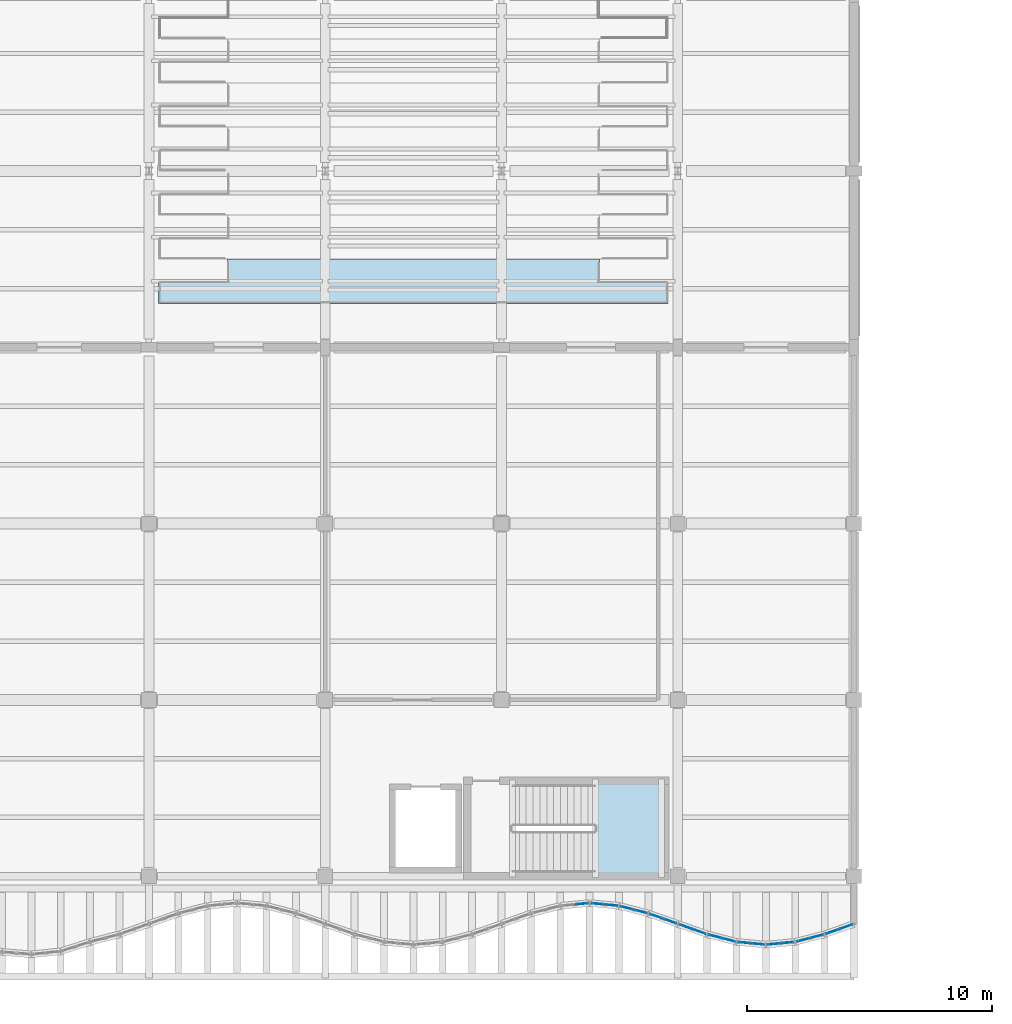
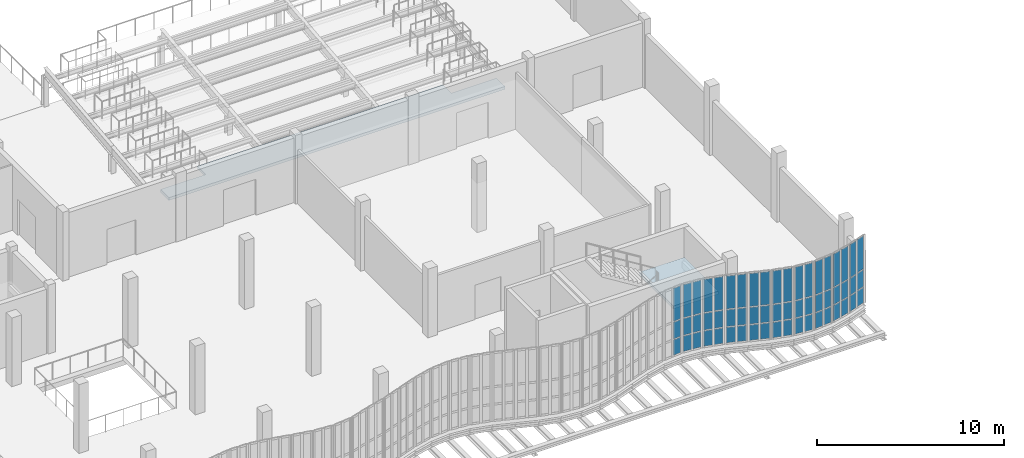
# One storey, part 80 of 105: 57 plates, 2 slabs, 11 elements without a shape of their own.
"""IFC4 building model written with IfcOpenShell, lengths in metres."""

from ifc_helpers import new_model, si_unit, direction, frame, origin, origin_2d, place, context, subcontext, project, spatial, polyline, rectangle, outline, extrude, material, layer, layer_set, type_object, element, aggregate, save


model = new_model("IFC4")

# Units and contexts
model_context = context("Model", 3, precision=1e-05, world=origin(), true_north=direction((0.0, 1.0)))
body_context = subcontext(model_context, "Body", "Model", "MODEL_VIEW")
ifc_project = project(units=[si_unit("LENGTHUNIT", "METRE"), si_unit("AREAUNIT", "SQUARE_METRE"), si_unit("VOLUMEUNIT", "CUBIC_METRE"), si_unit("PLANEANGLEUNIT", "RADIAN"), si_unit("MASSUNIT", "GRAM", prefix="KILO"), si_unit("THERMODYNAMICTEMPERATUREUNIT", "KELVIN"), si_unit("POWERUNIT", "WATT")], contexts=[model_context])

# Site, building, storey
site_placement = place(None, origin())
site = spatial("IfcSite", under=ifc_project, at=site_placement, CompositionType="ELEMENT")
building_placement = place(site_placement, origin())
building = spatial("IfcBuilding", under=site, at=building_placement, Name="Kaldorven Railside Theatre", CompositionType="ELEMENT")
storey_placement = place(building_placement, frame((0.0, 0.0, 9.89990234375)))
storey = spatial("IfcBuildingStorey", under=building, at=storey_placement, Name="L02", CompositionType="ELEMENT", Elevation=9.89990234375)

# Curtain wall, plates
ifc_material_1 = material(Name="Low-E laminated solar-control glass", Category="glass")
ifc_layer_1 = layer(ifc_material_1, 0.159912109375, Name="Low-E laminated solar-control glass")
ifc_layer_set_1 = layer_set([ifc_layer_1], Name="Low-E laminated solar-control glass")
curtain_wall_type_1 = type_object("IfcCurtainWallType", Name="CWT-03", PredefinedType="USERDEFINED", material=ifc_layer_set_1)
curtain_wall_1_placement = place(storey_placement, origin())
curtain_wall_1 = element("IfcCurtainWall", 1, at=curtain_wall_1_placement, inside=storey, type_object=curtain_wall_type_1, Name="Sinusoidal Fluted Curtain Wall CW-L02-S63", ObjectType="FLUTED GLAZING", PredefinedType="USERDEFINED")
ifc_layer_2 = layer(ifc_material_1, 0.028076171875, Name="Low-E laminated solar-control glass")
ifc_layer_set_2 = layer_set([ifc_layer_2], Name="Low-E laminated solar-control glass")
plate_type = type_object("IfcPlateType", Name="CWP-GLZ28", PredefinedType="CURTAIN_PANEL", material=ifc_layer_set_2)
plate_1_placement = place(storey_placement, frame((112.080078125, 18.069580078125, 0.06005859375), z_axis=(0.0, 0.0, 1.0), x_axis=(0.995525623425, 0.094491973758, 0.0)))
plate_1 = element("IfcPlate", 2, at=plate_1_placement, type_object=plate_type, Name="CW-L02-S63 panel 2.1", PredefinedType="CURTAIN_PANEL", context=body_context, shape_type="SweptSolid", body=[
    extrude(rectangle(XDim=0.482666015625, YDim=0.028076171875, at=origin_2d()), origin(), (0.0, 0.0, 1.0), 1.010009765625),
])
plate_2_placement = place(storey_placement, frame((112.080078125, 18.069580078125, 1.1298828125), z_axis=(0.0, 0.0, 1.0), x_axis=(0.995525623425, 0.094491973758, 0.0)))
plate_2 = element("IfcPlate", 3, at=plate_2_placement, type_object=plate_type, Name="CW-L02-S63 panel 2.2", PredefinedType="CURTAIN_PANEL", context=body_context, shape_type="SweptSolid", body=[
    extrude(rectangle(XDim=0.482666015625, YDim=0.028076171875, at=origin_2d()), origin(), (0.0, 0.0, 1.0), 1.090087890625),
])
plate_3_placement = place(storey_placement, frame((112.080078125, 18.069580078125, 2.2802734375), z_axis=(0.0, 0.0, 1.0), x_axis=(0.995525623425, 0.094491973758, 0.0)))
plate_3 = element("IfcPlate", 4, at=plate_3_placement, type_object=plate_type, Name="CW-L02-S63 panel 2.3", PredefinedType="CURTAIN_PANEL", context=body_context, shape_type="SweptSolid", body=[
    extrude(rectangle(XDim=0.482666015625, YDim=0.028076171875, at=origin_2d()), origin(), (0.0, 0.0, 1.0), 2.159912109375),
])
aggregate(curtain_wall_1, [plate_1, plate_2, plate_3])

curtain_wall_2_placement = place(storey_placement, origin())
curtain_wall_2 = element("IfcCurtainWall", 5, at=curtain_wall_2_placement, inside=storey, type_object=curtain_wall_type_1, Name="Sinusoidal Fluted Curtain Wall CW-L02-S64", ObjectType="FLUTED GLAZING", PredefinedType="USERDEFINED")
plate_4_placement = place(storey_placement, frame((112.719970703125, 18.069580078125, 0.06005859375), z_axis=(0.0, 0.0, 1.0), x_axis=(0.995525623425, -0.094491973758, 0.0)))
plate_4 = element("IfcPlate", 6, at=plate_4_placement, type_object=plate_type, Name="CW-L02-S64 panel 1.1", PredefinedType="CURTAIN_PANEL", context=body_context, shape_type="SweptSolid", body=[
    extrude(rectangle(XDim=0.482666015625, YDim=0.028076171875, at=origin_2d()), origin(), (0.0, 0.0, 1.0), 1.010009765625),
])
plate_5_placement = place(storey_placement, frame((112.719970703125, 18.069580078125, 1.1298828125), z_axis=(0.0, 0.0, 1.0), x_axis=(0.995525623425, -0.094491973758, 0.0)))
plate_5 = element("IfcPlate", 7, at=plate_5_placement, type_object=plate_type, Name="CW-L02-S64 panel 1.2", PredefinedType="CURTAIN_PANEL", context=body_context, shape_type="SweptSolid", body=[
    extrude(rectangle(XDim=0.482666015625, YDim=0.028076171875, at=origin_2d()), origin(), (0.0, 0.0, 1.0), 1.090087890625),
])
plate_6_placement = place(storey_placement, frame((112.719970703125, 18.069580078125, 2.2802734375), z_axis=(0.0, 0.0, 1.0), x_axis=(0.995525623425, -0.094491973758, 0.0)))
plate_6 = element("IfcPlate", 8, at=plate_6_placement, type_object=plate_type, Name="CW-L02-S64 panel 1.3", PredefinedType="CURTAIN_PANEL", context=body_context, shape_type="SweptSolid", body=[
    extrude(rectangle(XDim=0.482666015625, YDim=0.028076171875, at=origin_2d()), origin(), (0.0, 0.0, 1.0), 2.159912109375),
])
plate_7_placement = place(storey_placement, frame((113.280029296875, 18.016357421875, 0.06005859375), z_axis=(0.0, 0.0, 1.0), x_axis=(0.995525623425, -0.094491973758, 0.0)))
plate_7 = element("IfcPlate", 9, at=plate_7_placement, type_object=plate_type, Name="CW-L02-S64 panel 2.1", PredefinedType="CURTAIN_PANEL", context=body_context, shape_type="SweptSolid", body=[
    extrude(rectangle(XDim=0.482666015625, YDim=0.028076171875, at=origin_2d()), origin(), (0.0, 0.0, 1.0), 1.010009765625),
])
plate_8_placement = place(storey_placement, frame((113.280029296875, 18.016357421875, 1.1298828125), z_axis=(0.0, 0.0, 1.0), x_axis=(0.995525623425, -0.094491973758, 0.0)))
plate_8 = element("IfcPlate", 10, at=plate_8_placement, type_object=plate_type, Name="CW-L02-S64 panel 2.2", PredefinedType="CURTAIN_PANEL", context=body_context, shape_type="SweptSolid", body=[
    extrude(rectangle(XDim=0.482666015625, YDim=0.028076171875, at=origin_2d()), origin(), (0.0, 0.0, 1.0), 1.090087890625),
])
plate_9_placement = place(storey_placement, frame((113.280029296875, 18.016357421875, 2.2802734375), z_axis=(0.0, 0.0, 1.0), x_axis=(0.995525623425, -0.094491973758, 0.0)))
plate_9 = element("IfcPlate", 11, at=plate_9_placement, type_object=plate_type, Name="CW-L02-S64 panel 2.3", PredefinedType="CURTAIN_PANEL", context=body_context, shape_type="SweptSolid", body=[
    extrude(rectangle(XDim=0.482666015625, YDim=0.028076171875, at=origin_2d()), origin(), (0.0, 0.0, 1.0), 2.159912109375),
])
aggregate(curtain_wall_2, [plate_4, plate_5, plate_6, plate_7, plate_8, plate_9])

ifc_layer_3 = layer(ifc_material_1, 0.159912109375, Name="Low-E laminated solar-control glass")
ifc_layer_set_3 = layer_set([ifc_layer_3], Name="Low-E laminated solar-control glass")
curtain_wall_type_2 = type_object("IfcCurtainWallType", Name="CWT-02", PredefinedType="USERDEFINED", material=ifc_layer_set_3)
curtain_wall_3_placement = place(storey_placement, origin())
curtain_wall_3 = element("IfcCurtainWall", 12, at=curtain_wall_3_placement, inside=storey, type_object=curtain_wall_type_2, Name="Sinusoidal Fluted Curtain Wall CW-L02-S65", ObjectType="FLUTED GLAZING", PredefinedType="USERDEFINED")
plate_10_placement = place(storey_placement, frame((113.91943359375, 17.9033203125, 0.06005859375), z_axis=(0.0, 0.0, 1.0), x_axis=(0.967999075505, -0.250953760326, 0.0)))
plate_10 = element("IfcPlate", 13, at=plate_10_placement, type_object=plate_type, Name="CW-L02-S65 panel 1.1", PredefinedType="CURTAIN_PANEL", context=body_context, shape_type="SweptSolid", body=[
    extrude(rectangle(XDim=0.499755859375, YDim=0.028076171875, at=origin_2d()), origin(), (0.0, 0.0, 1.0), 1.010009765625),
])
plate_11_placement = place(storey_placement, frame((113.91943359375, 17.9033203125, 1.1298828125), z_axis=(0.0, 0.0, 1.0), x_axis=(0.967999075505, -0.250953760326, 0.0)))
plate_11 = element("IfcPlate", 14, at=plate_11_placement, type_object=plate_type, Name="CW-L02-S65 panel 1.2", PredefinedType="CURTAIN_PANEL", context=body_context, shape_type="SweptSolid", body=[
    extrude(rectangle(XDim=0.499755859375, YDim=0.028076171875, at=origin_2d()), origin(), (0.0, 0.0, 1.0), 1.090087890625),
])
plate_12_placement = place(storey_placement, frame((113.91943359375, 17.9033203125, 2.2802734375), z_axis=(0.0, 0.0, 1.0), x_axis=(0.967999075505, -0.250953760326, 0.0)))
plate_12 = element("IfcPlate", 15, at=plate_12_placement, type_object=plate_type, Name="CW-L02-S65 panel 1.3", PredefinedType="CURTAIN_PANEL", context=body_context, shape_type="SweptSolid", body=[
    extrude(rectangle(XDim=0.499755859375, YDim=0.028076171875, at=origin_2d()), origin(), (0.0, 0.0, 1.0), 2.159912109375),
])
plate_13_placement = place(storey_placement, frame((114.480712890625, 17.7578125, 0.06005859375), z_axis=(0.0, 0.0, 1.0), x_axis=(0.967999075505, -0.250953760326, 0.0)))
plate_13 = element("IfcPlate", 16, at=plate_13_placement, type_object=plate_type, Name="CW-L02-S65 panel 2.1", PredefinedType="CURTAIN_PANEL", context=body_context, shape_type="SweptSolid", body=[
    extrude(rectangle(XDim=0.499755859375, YDim=0.028076171875, at=origin_2d()), origin(), (0.0, 0.0, 1.0), 1.010009765625),
])
plate_14_placement = place(storey_placement, frame((114.480712890625, 17.7578125, 1.1298828125), z_axis=(0.0, 0.0, 1.0), x_axis=(0.967999075505, -0.250953760326, 0.0)))
plate_14 = element("IfcPlate", 17, at=plate_14_placement, type_object=plate_type, Name="CW-L02-S65 panel 2.2", PredefinedType="CURTAIN_PANEL", context=body_context, shape_type="SweptSolid", body=[
    extrude(rectangle(XDim=0.499755859375, YDim=0.028076171875, at=origin_2d()), origin(), (0.0, 0.0, 1.0), 1.090087890625),
])
plate_15_placement = place(storey_placement, frame((114.480712890625, 17.7578125, 2.2802734375), z_axis=(0.0, 0.0, 1.0), x_axis=(0.967999075505, -0.250953760326, 0.0)))
plate_15 = element("IfcPlate", 18, at=plate_15_placement, type_object=plate_type, Name="CW-L02-S65 panel 2.3", PredefinedType="CURTAIN_PANEL", context=body_context, shape_type="SweptSolid", body=[
    extrude(rectangle(XDim=0.499755859375, YDim=0.028076171875, at=origin_2d()), origin(), (0.0, 0.0, 1.0), 2.159912109375),
])
aggregate(curtain_wall_3, [plate_10, plate_11, plate_12, plate_13, plate_14, plate_15])

ifc_layer_4 = layer(ifc_material_1, 0.159912109375, Name="Low-E laminated solar-control glass")
ifc_layer_set_4 = layer_set([ifc_layer_4], Name="Low-E laminated solar-control glass")
curtain_wall_type_3 = type_object("IfcCurtainWallType", Name="CWT-01", PredefinedType="USERDEFINED", material=ifc_layer_set_4)
curtain_wall_4_placement = place(storey_placement, origin())
curtain_wall_4 = element("IfcCurtainWall", 19, at=curtain_wall_4_placement, inside=storey, type_object=curtain_wall_type_3, Name="Sinusoidal Fluted Curtain Wall CW-L02-S66", ObjectType="FLUTED GLAZING", PredefinedType="USERDEFINED")
plate_16_placement = place(storey_placement, frame((115.118896484375, 17.56201171875, 0.06005859375), z_axis=(0.0, 0.0, 1.0), x_axis=(0.942627225159, -0.33384714225, 0.0)))
plate_16 = element("IfcPlate", 20, at=plate_16_placement, type_object=plate_type, Name="CW-L02-S66 panel 1.1", PredefinedType="CURTAIN_PANEL", context=body_context, shape_type="SweptSolid", body=[
    extrude(rectangle(XDim=0.5166015625, YDim=0.028076171875, at=origin_2d()), origin(), (0.0, 0.0, 1.0), 1.010009765625),
])
plate_17_placement = place(storey_placement, frame((115.118896484375, 17.56201171875, 1.1298828125), z_axis=(0.0, 0.0, 1.0), x_axis=(0.942627225159, -0.33384714225, 0.0)))
plate_17 = element("IfcPlate", 21, at=plate_17_placement, type_object=plate_type, Name="CW-L02-S66 panel 1.2", PredefinedType="CURTAIN_PANEL", context=body_context, shape_type="SweptSolid", body=[
    extrude(rectangle(XDim=0.5166015625, YDim=0.028076171875, at=origin_2d()), origin(), (0.0, 0.0, 1.0), 1.090087890625),
])
plate_18_placement = place(storey_placement, frame((115.118896484375, 17.56201171875, 2.2802734375), z_axis=(0.0, 0.0, 1.0), x_axis=(0.942627225159, -0.33384714225, 0.0)))
plate_18 = element("IfcPlate", 22, at=plate_18_placement, type_object=plate_type, Name="CW-L02-S66 panel 1.3", PredefinedType="CURTAIN_PANEL", context=body_context, shape_type="SweptSolid", body=[
    extrude(rectangle(XDim=0.5166015625, YDim=0.028076171875, at=origin_2d()), origin(), (0.0, 0.0, 1.0), 2.159912109375),
])
plate_19_placement = place(storey_placement, frame((115.68115234375, 17.363037109375, 0.06005859375), z_axis=(0.0, 0.0, 1.0), x_axis=(0.942627225159, -0.33384714225, 0.0)))
plate_19 = element("IfcPlate", 23, at=plate_19_placement, type_object=plate_type, Name="CW-L02-S66 panel 2.1", PredefinedType="CURTAIN_PANEL", context=body_context, shape_type="SweptSolid", body=[
    extrude(rectangle(XDim=0.5166015625, YDim=0.028076171875, at=origin_2d()), origin(), (0.0, 0.0, 1.0), 1.010009765625),
])
plate_20_placement = place(storey_placement, frame((115.68115234375, 17.363037109375, 1.1298828125), z_axis=(0.0, 0.0, 1.0), x_axis=(0.942627225159, -0.33384714225, 0.0)))
plate_20 = element("IfcPlate", 24, at=plate_20_placement, type_object=plate_type, Name="CW-L02-S66 panel 2.2", PredefinedType="CURTAIN_PANEL", context=body_context, shape_type="SweptSolid", body=[
    extrude(rectangle(XDim=0.5166015625, YDim=0.028076171875, at=origin_2d()), origin(), (0.0, 0.0, 1.0), 1.090087890625),
])
plate_21_placement = place(storey_placement, frame((115.68115234375, 17.363037109375, 2.2802734375), z_axis=(0.0, 0.0, 1.0), x_axis=(0.942627225159, -0.33384714225, 0.0)))
plate_21 = element("IfcPlate", 25, at=plate_21_placement, type_object=plate_type, Name="CW-L02-S66 panel 2.3", PredefinedType="CURTAIN_PANEL", context=body_context, shape_type="SweptSolid", body=[
    extrude(rectangle(XDim=0.5166015625, YDim=0.028076171875, at=origin_2d()), origin(), (0.0, 0.0, 1.0), 2.159912109375),
])
aggregate(curtain_wall_4, [plate_16, plate_17, plate_18, plate_19, plate_20, plate_21])

curtain_wall_5_placement = place(storey_placement, origin())
curtain_wall_5 = element("IfcCurtainWall", 26, at=curtain_wall_5_placement, inside=storey, type_object=curtain_wall_type_3, Name="Sinusoidal Fluted Curtain Wall CW-L02-S67", ObjectType="FLUTED GLAZING", PredefinedType="USERDEFINED")
plate_22_placement = place(storey_placement, frame((116.31884765625, 17.136962890625, 0.06005859375), z_axis=(0.0, 0.0, 1.0), x_axis=(0.942627225159, -0.33384714225, 0.0)))
plate_22 = element("IfcPlate", 27, at=plate_22_placement, type_object=plate_type, Name="CW-L02-S67 panel 1.1", PredefinedType="CURTAIN_PANEL", context=body_context, shape_type="SweptSolid", body=[
    extrude(rectangle(XDim=0.5166015625, YDim=0.028076171875, at=origin_2d()), origin(), (0.0, 0.0, 1.0), 1.010009765625),
])
plate_23_placement = place(storey_placement, frame((116.31884765625, 17.136962890625, 1.1298828125), z_axis=(0.0, 0.0, 1.0), x_axis=(0.942627225159, -0.33384714225, 0.0)))
plate_23 = element("IfcPlate", 28, at=plate_23_placement, type_object=plate_type, Name="CW-L02-S67 panel 1.2", PredefinedType="CURTAIN_PANEL", context=body_context, shape_type="SweptSolid", body=[
    extrude(rectangle(XDim=0.5166015625, YDim=0.028076171875, at=origin_2d()), origin(), (0.0, 0.0, 1.0), 1.090087890625),
])
plate_24_placement = place(storey_placement, frame((116.31884765625, 17.136962890625, 2.2802734375), z_axis=(0.0, 0.0, 1.0), x_axis=(0.942627225159, -0.33384714225, 0.0)))
plate_24 = element("IfcPlate", 29, at=plate_24_placement, type_object=plate_type, Name="CW-L02-S67 panel 1.3", PredefinedType="CURTAIN_PANEL", context=body_context, shape_type="SweptSolid", body=[
    extrude(rectangle(XDim=0.5166015625, YDim=0.028076171875, at=origin_2d()), origin(), (0.0, 0.0, 1.0), 2.159912109375),
])
plate_25_placement = place(storey_placement, frame((116.881103515625, 16.93798828125, 0.06005859375), z_axis=(0.0, 0.0, 1.0), x_axis=(0.942627225159, -0.33384714225, 0.0)))
plate_25 = element("IfcPlate", 30, at=plate_25_placement, type_object=plate_type, Name="CW-L02-S67 panel 2.1", PredefinedType="CURTAIN_PANEL", context=body_context, shape_type="SweptSolid", body=[
    extrude(rectangle(XDim=0.5166015625, YDim=0.028076171875, at=origin_2d()), origin(), (0.0, 0.0, 1.0), 1.010009765625),
])
plate_26_placement = place(storey_placement, frame((116.881103515625, 16.93798828125, 1.1298828125), z_axis=(0.0, 0.0, 1.0), x_axis=(0.942627225159, -0.33384714225, 0.0)))
plate_26 = element("IfcPlate", 31, at=plate_26_placement, type_object=plate_type, Name="CW-L02-S67 panel 2.2", PredefinedType="CURTAIN_PANEL", context=body_context, shape_type="SweptSolid", body=[
    extrude(rectangle(XDim=0.5166015625, YDim=0.028076171875, at=origin_2d()), origin(), (0.0, 0.0, 1.0), 1.090087890625),
])
plate_27_placement = place(storey_placement, frame((116.881103515625, 16.93798828125, 2.2802734375), z_axis=(0.0, 0.0, 1.0), x_axis=(0.942627225159, -0.33384714225, 0.0)))
plate_27 = element("IfcPlate", 32, at=plate_27_placement, type_object=plate_type, Name="CW-L02-S67 panel 2.3", PredefinedType="CURTAIN_PANEL", context=body_context, shape_type="SweptSolid", body=[
    extrude(rectangle(XDim=0.5166015625, YDim=0.028076171875, at=origin_2d()), origin(), (0.0, 0.0, 1.0), 2.159912109375),
])
aggregate(curtain_wall_5, [plate_22, plate_23, plate_24, plate_25, plate_26, plate_27])

curtain_wall_6_placement = place(storey_placement, origin())
curtain_wall_6 = element("IfcCurtainWall", 33, at=curtain_wall_6_placement, inside=storey, type_object=curtain_wall_type_2, Name="Sinusoidal Fluted Curtain Wall CW-L02-S68", ObjectType="FLUTED GLAZING", PredefinedType="USERDEFINED")
plate_28_placement = place(storey_placement, frame((117.519287109375, 16.7421875, 0.06005859375), z_axis=(0.0, 0.0, 1.0), x_axis=(0.967999075505, -0.250953760326, 0.0)))
plate_28 = element("IfcPlate", 34, at=plate_28_placement, type_object=plate_type, Name="CW-L02-S68 panel 1.1", PredefinedType="CURTAIN_PANEL", context=body_context, shape_type="SweptSolid", body=[
    extrude(rectangle(XDim=0.499755859375, YDim=0.028076171875, at=origin_2d()), origin(), (0.0, 0.0, 1.0), 1.010009765625),
])
plate_29_placement = place(storey_placement, frame((117.519287109375, 16.7421875, 1.1298828125), z_axis=(0.0, 0.0, 1.0), x_axis=(0.967999075505, -0.250953760326, 0.0)))
plate_29 = element("IfcPlate", 35, at=plate_29_placement, type_object=plate_type, Name="CW-L02-S68 panel 1.2", PredefinedType="CURTAIN_PANEL", context=body_context, shape_type="SweptSolid", body=[
    extrude(rectangle(XDim=0.499755859375, YDim=0.028076171875, at=origin_2d()), origin(), (0.0, 0.0, 1.0), 1.090087890625),
])
plate_30_placement = place(storey_placement, frame((117.519287109375, 16.7421875, 2.2802734375), z_axis=(0.0, 0.0, 1.0), x_axis=(0.967999075505, -0.250953760326, 0.0)))
plate_30 = element("IfcPlate", 36, at=plate_30_placement, type_object=plate_type, Name="CW-L02-S68 panel 1.3", PredefinedType="CURTAIN_PANEL", context=body_context, shape_type="SweptSolid", body=[
    extrude(rectangle(XDim=0.499755859375, YDim=0.028076171875, at=origin_2d()), origin(), (0.0, 0.0, 1.0), 2.159912109375),
])
plate_31_placement = place(storey_placement, frame((118.08056640625, 16.5966796875, 0.06005859375), z_axis=(0.0, 0.0, 1.0), x_axis=(0.967999075505, -0.250953760326, 0.0)))
plate_31 = element("IfcPlate", 37, at=plate_31_placement, type_object=plate_type, Name="CW-L02-S68 panel 2.1", PredefinedType="CURTAIN_PANEL", context=body_context, shape_type="SweptSolid", body=[
    extrude(rectangle(XDim=0.499755859375, YDim=0.028076171875, at=origin_2d()), origin(), (0.0, 0.0, 1.0), 1.010009765625),
])
plate_32_placement = place(storey_placement, frame((118.08056640625, 16.5966796875, 1.1298828125), z_axis=(0.0, 0.0, 1.0), x_axis=(0.967999075505, -0.250953760326, 0.0)))
plate_32 = element("IfcPlate", 38, at=plate_32_placement, type_object=plate_type, Name="CW-L02-S68 panel 2.2", PredefinedType="CURTAIN_PANEL", context=body_context, shape_type="SweptSolid", body=[
    extrude(rectangle(XDim=0.499755859375, YDim=0.028076171875, at=origin_2d()), origin(), (0.0, 0.0, 1.0), 1.090087890625),
])
plate_33_placement = place(storey_placement, frame((118.08056640625, 16.5966796875, 2.2802734375), z_axis=(0.0, 0.0, 1.0), x_axis=(0.967999075505, -0.250953760326, 0.0)))
plate_33 = element("IfcPlate", 39, at=plate_33_placement, type_object=plate_type, Name="CW-L02-S68 panel 2.3", PredefinedType="CURTAIN_PANEL", context=body_context, shape_type="SweptSolid", body=[
    extrude(rectangle(XDim=0.499755859375, YDim=0.028076171875, at=origin_2d()), origin(), (0.0, 0.0, 1.0), 2.159912109375),
])
aggregate(curtain_wall_6, [plate_28, plate_29, plate_30, plate_31, plate_32, plate_33])

curtain_wall_7_placement = place(storey_placement, origin())
curtain_wall_7 = element("IfcCurtainWall", 40, at=curtain_wall_7_placement, inside=storey, type_object=curtain_wall_type_1, Name="Sinusoidal Fluted Curtain Wall CW-L02-S69", ObjectType="FLUTED GLAZING", PredefinedType="USERDEFINED")
plate_34_placement = place(storey_placement, frame((118.719970703125, 16.483642578125, 0.06005859375), z_axis=(0.0, 0.0, 1.0), x_axis=(0.995525623425, -0.094491973758, 0.0)))
plate_34 = element("IfcPlate", 41, at=plate_34_placement, type_object=plate_type, Name="CW-L02-S69 panel 1.1", PredefinedType="CURTAIN_PANEL", context=body_context, shape_type="SweptSolid", body=[
    extrude(rectangle(XDim=0.482666015625, YDim=0.028076171875, at=origin_2d()), origin(), (0.0, 0.0, 1.0), 1.010009765625),
])
plate_35_placement = place(storey_placement, frame((118.719970703125, 16.483642578125, 1.1298828125), z_axis=(0.0, 0.0, 1.0), x_axis=(0.995525623425, -0.094491973758, 0.0)))
plate_35 = element("IfcPlate", 42, at=plate_35_placement, type_object=plate_type, Name="CW-L02-S69 panel 1.2", PredefinedType="CURTAIN_PANEL", context=body_context, shape_type="SweptSolid", body=[
    extrude(rectangle(XDim=0.482666015625, YDim=0.028076171875, at=origin_2d()), origin(), (0.0, 0.0, 1.0), 1.090087890625),
])
plate_36_placement = place(storey_placement, frame((118.719970703125, 16.483642578125, 2.2802734375), z_axis=(0.0, 0.0, 1.0), x_axis=(0.995525623425, -0.094491973758, 0.0)))
plate_36 = element("IfcPlate", 43, at=plate_36_placement, type_object=plate_type, Name="CW-L02-S69 panel 1.3", PredefinedType="CURTAIN_PANEL", context=body_context, shape_type="SweptSolid", body=[
    extrude(rectangle(XDim=0.482666015625, YDim=0.028076171875, at=origin_2d()), origin(), (0.0, 0.0, 1.0), 2.159912109375),
])
plate_37_placement = place(storey_placement, frame((119.280029296875, 16.430419921875, 0.06005859375), z_axis=(0.0, 0.0, 1.0), x_axis=(0.995525623425, -0.094491973758, 0.0)))
plate_37 = element("IfcPlate", 44, at=plate_37_placement, type_object=plate_type, Name="CW-L02-S69 panel 2.1", PredefinedType="CURTAIN_PANEL", context=body_context, shape_type="SweptSolid", body=[
    extrude(rectangle(XDim=0.482666015625, YDim=0.028076171875, at=origin_2d()), origin(), (0.0, 0.0, 1.0), 1.010009765625),
])
plate_38_placement = place(storey_placement, frame((119.280029296875, 16.430419921875, 1.1298828125), z_axis=(0.0, 0.0, 1.0), x_axis=(0.995525623425, -0.094491973758, 0.0)))
plate_38 = element("IfcPlate", 45, at=plate_38_placement, type_object=plate_type, Name="CW-L02-S69 panel 2.2", PredefinedType="CURTAIN_PANEL", context=body_context, shape_type="SweptSolid", body=[
    extrude(rectangle(XDim=0.482666015625, YDim=0.028076171875, at=origin_2d()), origin(), (0.0, 0.0, 1.0), 1.090087890625),
])
plate_39_placement = place(storey_placement, frame((119.280029296875, 16.430419921875, 2.2802734375), z_axis=(0.0, 0.0, 1.0), x_axis=(0.995525623425, -0.094491973758, 0.0)))
plate_39 = element("IfcPlate", 46, at=plate_39_placement, type_object=plate_type, Name="CW-L02-S69 panel 2.3", PredefinedType="CURTAIN_PANEL", context=body_context, shape_type="SweptSolid", body=[
    extrude(rectangle(XDim=0.482666015625, YDim=0.028076171875, at=origin_2d()), origin(), (0.0, 0.0, 1.0), 2.159912109375),
])
aggregate(curtain_wall_7, [plate_34, plate_35, plate_36, plate_37, plate_38, plate_39])

curtain_wall_8_placement = place(storey_placement, origin())
curtain_wall_8 = element("IfcCurtainWall", 47, at=curtain_wall_8_placement, inside=storey, type_object=curtain_wall_type_1, Name="Sinusoidal Fluted Curtain Wall CW-L02-S70", ObjectType="FLUTED GLAZING", PredefinedType="USERDEFINED")
plate_40_placement = place(storey_placement, frame((119.919921875, 16.430419921875, 0.06005859375), z_axis=(0.0, 0.0, 1.0), x_axis=(0.995525623425, 0.094491973758, 0.0)))
plate_40 = element("IfcPlate", 48, at=plate_40_placement, type_object=plate_type, Name="CW-L02-S70 panel 1.1", PredefinedType="CURTAIN_PANEL", context=body_context, shape_type="SweptSolid", body=[
    extrude(rectangle(XDim=0.482666015625, YDim=0.028076171875, at=origin_2d()), origin(), (0.0, 0.0, 1.0), 1.010009765625),
])
plate_41_placement = place(storey_placement, frame((119.919921875, 16.430419921875, 1.1298828125), z_axis=(0.0, 0.0, 1.0), x_axis=(0.995525623425, 0.094491973758, 0.0)))
plate_41 = element("IfcPlate", 49, at=plate_41_placement, type_object=plate_type, Name="CW-L02-S70 panel 1.2", PredefinedType="CURTAIN_PANEL", context=body_context, shape_type="SweptSolid", body=[
    extrude(rectangle(XDim=0.482666015625, YDim=0.028076171875, at=origin_2d()), origin(), (0.0, 0.0, 1.0), 1.090087890625),
])
plate_42_placement = place(storey_placement, frame((119.919921875, 16.430419921875, 2.2802734375), z_axis=(0.0, 0.0, 1.0), x_axis=(0.995525623425, 0.094491973758, 0.0)))
plate_42 = element("IfcPlate", 50, at=plate_42_placement, type_object=plate_type, Name="CW-L02-S70 panel 1.3", PredefinedType="CURTAIN_PANEL", context=body_context, shape_type="SweptSolid", body=[
    extrude(rectangle(XDim=0.482666015625, YDim=0.028076171875, at=origin_2d()), origin(), (0.0, 0.0, 1.0), 2.159912109375),
])
plate_43_placement = place(storey_placement, frame((120.47998046875, 16.483642578125, 0.06005859375), z_axis=(0.0, 0.0, 1.0), x_axis=(0.995525623425, 0.094491973758, 0.0)))
plate_43 = element("IfcPlate", 51, at=plate_43_placement, type_object=plate_type, Name="CW-L02-S70 panel 2.1", PredefinedType="CURTAIN_PANEL", context=body_context, shape_type="SweptSolid", body=[
    extrude(rectangle(XDim=0.482666015625, YDim=0.028076171875, at=origin_2d()), origin(), (0.0, 0.0, 1.0), 1.010009765625),
])
plate_44_placement = place(storey_placement, frame((120.47998046875, 16.483642578125, 1.1298828125), z_axis=(0.0, 0.0, 1.0), x_axis=(0.995525623425, 0.094491973758, 0.0)))
plate_44 = element("IfcPlate", 52, at=plate_44_placement, type_object=plate_type, Name="CW-L02-S70 panel 2.2", PredefinedType="CURTAIN_PANEL", context=body_context, shape_type="SweptSolid", body=[
    extrude(rectangle(XDim=0.482666015625, YDim=0.028076171875, at=origin_2d()), origin(), (0.0, 0.0, 1.0), 1.090087890625),
])
plate_45_placement = place(storey_placement, frame((120.47998046875, 16.483642578125, 2.2802734375), z_axis=(0.0, 0.0, 1.0), x_axis=(0.995525623425, 0.094491973758, 0.0)))
plate_45 = element("IfcPlate", 53, at=plate_45_placement, type_object=plate_type, Name="CW-L02-S70 panel 2.3", PredefinedType="CURTAIN_PANEL", context=body_context, shape_type="SweptSolid", body=[
    extrude(rectangle(XDim=0.482666015625, YDim=0.028076171875, at=origin_2d()), origin(), (0.0, 0.0, 1.0), 2.159912109375),
])
aggregate(curtain_wall_8, [plate_40, plate_41, plate_42, plate_43, plate_44, plate_45])

curtain_wall_9_placement = place(storey_placement, origin())
curtain_wall_9 = element("IfcCurtainWall", 54, at=curtain_wall_9_placement, inside=storey, type_object=curtain_wall_type_2, Name="Sinusoidal Fluted Curtain Wall CW-L02-S71", ObjectType="FLUTED GLAZING", PredefinedType="USERDEFINED")
plate_46_placement = place(storey_placement, frame((121.119384765625, 16.5966796875, 0.06005859375), z_axis=(0.0, 0.0, 1.0), x_axis=(0.967999075505, 0.250953760326, 0.0)))
plate_46 = element("IfcPlate", 55, at=plate_46_placement, type_object=plate_type, Name="CW-L02-S71 panel 1.1", PredefinedType="CURTAIN_PANEL", context=body_context, shape_type="SweptSolid", body=[
    extrude(rectangle(XDim=0.499755859375, YDim=0.028076171875, at=origin_2d()), origin(), (0.0, 0.0, 1.0), 1.010009765625),
])
plate_47_placement = place(storey_placement, frame((121.119384765625, 16.5966796875, 1.1298828125), z_axis=(0.0, 0.0, 1.0), x_axis=(0.967999075505, 0.250953760326, 0.0)))
plate_47 = element("IfcPlate", 56, at=plate_47_placement, type_object=plate_type, Name="CW-L02-S71 panel 1.2", PredefinedType="CURTAIN_PANEL", context=body_context, shape_type="SweptSolid", body=[
    extrude(rectangle(XDim=0.499755859375, YDim=0.028076171875, at=origin_2d()), origin(), (0.0, 0.0, 1.0), 1.090087890625),
])
plate_48_placement = place(storey_placement, frame((121.119384765625, 16.5966796875, 2.2802734375), z_axis=(0.0, 0.0, 1.0), x_axis=(0.967999075505, 0.250953760326, 0.0)))
plate_48 = element("IfcPlate", 57, at=plate_48_placement, type_object=plate_type, Name="CW-L02-S71 panel 1.3", PredefinedType="CURTAIN_PANEL", context=body_context, shape_type="SweptSolid", body=[
    extrude(rectangle(XDim=0.499755859375, YDim=0.028076171875, at=origin_2d()), origin(), (0.0, 0.0, 1.0), 2.159912109375),
])
plate_49_placement = place(storey_placement, frame((121.6806640625, 16.7421875, 0.06005859375), z_axis=(0.0, 0.0, 1.0), x_axis=(0.967999075505, 0.250953760326, 0.0)))
plate_49 = element("IfcPlate", 58, at=plate_49_placement, type_object=plate_type, Name="CW-L02-S71 panel 2.1", PredefinedType="CURTAIN_PANEL", context=body_context, shape_type="SweptSolid", body=[
    extrude(rectangle(XDim=0.499755859375, YDim=0.028076171875, at=origin_2d()), origin(), (0.0, 0.0, 1.0), 1.010009765625),
])
plate_50_placement = place(storey_placement, frame((121.6806640625, 16.7421875, 1.1298828125), z_axis=(0.0, 0.0, 1.0), x_axis=(0.967999075505, 0.250953760326, 0.0)))
plate_50 = element("IfcPlate", 59, at=plate_50_placement, type_object=plate_type, Name="CW-L02-S71 panel 2.2", PredefinedType="CURTAIN_PANEL", context=body_context, shape_type="SweptSolid", body=[
    extrude(rectangle(XDim=0.499755859375, YDim=0.028076171875, at=origin_2d()), origin(), (0.0, 0.0, 1.0), 1.090087890625),
])
plate_51_placement = place(storey_placement, frame((121.6806640625, 16.7421875, 2.2802734375), z_axis=(0.0, 0.0, 1.0), x_axis=(0.967999075505, 0.250953760326, 0.0)))
plate_51 = element("IfcPlate", 60, at=plate_51_placement, type_object=plate_type, Name="CW-L02-S71 panel 2.3", PredefinedType="CURTAIN_PANEL", context=body_context, shape_type="SweptSolid", body=[
    extrude(rectangle(XDim=0.499755859375, YDim=0.028076171875, at=origin_2d()), origin(), (0.0, 0.0, 1.0), 2.159912109375),
])
aggregate(curtain_wall_9, [plate_46, plate_47, plate_48, plate_49, plate_50, plate_51])

curtain_wall_10_placement = place(storey_placement, origin())
curtain_wall_10 = element("IfcCurtainWall", 61, at=curtain_wall_10_placement, inside=storey, type_object=curtain_wall_type_3, Name="Sinusoidal Fluted Curtain Wall CW-L02-S72", ObjectType="FLUTED GLAZING", PredefinedType="USERDEFINED")
plate_52_placement = place(storey_placement, frame((122.31884765625, 16.93798828125, 0.06005859375), z_axis=(0.0, 0.0, 1.0), x_axis=(0.942627225159, 0.33384714225, 0.0)))
plate_52 = element("IfcPlate", 62, at=plate_52_placement, type_object=plate_type, Name="CW-L02-S72 panel 1.1", PredefinedType="CURTAIN_PANEL", context=body_context, shape_type="SweptSolid", body=[
    extrude(rectangle(XDim=0.5166015625, YDim=0.028076171875, at=origin_2d()), origin(), (0.0, 0.0, 1.0), 1.010009765625),
])
plate_53_placement = place(storey_placement, frame((122.31884765625, 16.93798828125, 1.1298828125), z_axis=(0.0, 0.0, 1.0), x_axis=(0.942627225159, 0.33384714225, 0.0)))
plate_53 = element("IfcPlate", 63, at=plate_53_placement, type_object=plate_type, Name="CW-L02-S72 panel 1.2", PredefinedType="CURTAIN_PANEL", context=body_context, shape_type="SweptSolid", body=[
    extrude(rectangle(XDim=0.5166015625, YDim=0.028076171875, at=origin_2d()), origin(), (0.0, 0.0, 1.0), 1.090087890625),
])
plate_54_placement = place(storey_placement, frame((122.31884765625, 16.93798828125, 2.2802734375), z_axis=(0.0, 0.0, 1.0), x_axis=(0.942627225159, 0.33384714225, 0.0)))
plate_54 = element("IfcPlate", 64, at=plate_54_placement, type_object=plate_type, Name="CW-L02-S72 panel 1.3", PredefinedType="CURTAIN_PANEL", context=body_context, shape_type="SweptSolid", body=[
    extrude(rectangle(XDim=0.5166015625, YDim=0.028076171875, at=origin_2d()), origin(), (0.0, 0.0, 1.0), 2.159912109375),
])
plate_55_placement = place(storey_placement, frame((122.881103515625, 17.136962890625, 0.06005859375), z_axis=(0.0, 0.0, 1.0), x_axis=(0.942627225159, 0.33384714225, 0.0)))
plate_55 = element("IfcPlate", 65, at=plate_55_placement, type_object=plate_type, Name="CW-L02-S72 panel 2.1", PredefinedType="CURTAIN_PANEL", context=body_context, shape_type="SweptSolid", body=[
    extrude(rectangle(XDim=0.5166015625, YDim=0.028076171875, at=origin_2d()), origin(), (0.0, 0.0, 1.0), 1.010009765625),
])
plate_56_placement = place(storey_placement, frame((122.881103515625, 17.136962890625, 1.1298828125), z_axis=(0.0, 0.0, 1.0), x_axis=(0.942627225159, 0.33384714225, 0.0)))
plate_56 = element("IfcPlate", 66, at=plate_56_placement, type_object=plate_type, Name="CW-L02-S72 panel 2.2", PredefinedType="CURTAIN_PANEL", context=body_context, shape_type="SweptSolid", body=[
    extrude(rectangle(XDim=0.5166015625, YDim=0.028076171875, at=origin_2d()), origin(), (0.0, 0.0, 1.0), 1.090087890625),
])
plate_57_placement = place(storey_placement, frame((122.881103515625, 17.136962890625, 2.2802734375), z_axis=(0.0, 0.0, 1.0), x_axis=(0.942627225159, 0.33384714225, 0.0)))
plate_57 = element("IfcPlate", 67, at=plate_57_placement, type_object=plate_type, Name="CW-L02-S72 panel 2.3", PredefinedType="CURTAIN_PANEL", context=body_context, shape_type="SweptSolid", body=[
    extrude(rectangle(XDim=0.5166015625, YDim=0.028076171875, at=origin_2d()), origin(), (0.0, 0.0, 1.0), 2.159912109375),
])
aggregate(curtain_wall_10, [plate_52, plate_53, plate_54, plate_55, plate_56, plate_57])

# Stair, slab
ifc_material_2 = material(Name="Concrete C35/45", Category="concrete")
stair_type = type_object("IfcStairType", Name="STR-DL-03", PredefinedType="HALF_TURN_STAIR", material=ifc_material_2)
stair_placement = place(storey_placement, origin())
stair = element("IfcStair", 68, at=stair_placement, inside=storey, type_object=stair_type, Name="L02 Core C-SE Escape Stair ST-04", PredefinedType="HALF_TURN_STAIR")
ifc_layer_5 = layer(ifc_material_2, 0.199951171875, Name="Concrete C35/45")
ifc_layer_set_5 = layer_set([ifc_layer_5], Name="Concrete C35/45")
slab_type_1 = type_object("IfcSlabType", Name="SLB-LSL-200", PredefinedType="LANDING", material=ifc_layer_set_5)
slab_1_placement = place(storey_placement, frame((0.0, 0.0, 2.050048828125)))
slab_1 = element("IfcSlab", 69, at=slab_1_placement, type_object=slab_type_1, Name="ST-04 landing 1", PredefinedType="LANDING", context=body_context, shape_type="SweptSolid", body=[
    extrude(outline(polyline([(112.5849609375, 19.320068359375), (115.3798828125, 19.320068359375), (115.3798828125, 22.97998046875), (112.5849609375, 22.97998046875), (112.5849609375, 19.320068359375)])), origin(), (0.0, 0.0, 1.0), 0.199951171875),
])
aggregate(stair, [slab_1])

# Slab
ifc_layer_6 = layer(ifc_material_2, 0.179931640625, Name="Concrete C35/45")
ifc_layer_set_6 = layer_set([ifc_layer_6], Name="Concrete C35/45")
slab_type_2 = type_object("IfcSlabType", Name="SLB-TIER-180", PredefinedType="USERDEFINED", material=ifc_layer_set_6)
slab_2_placement = place(storey_placement, frame((0.0, 0.0, 1.27001953125)))
element("IfcSlab", 70, at=slab_2_placement, inside=storey, type_object=slab_type_2, Name="V1U Seating Tier 02", ObjectType="SEATING TIER", PredefinedType="USERDEFINED", context=body_context, shape_type="SweptSolid", body=[
    extrude(outline(polyline([(94.800048828125, 42.60009765625), (115.60009765625, 42.60009765625), (115.60009765625, 43.5), (112.800048828125, 43.5), (112.800048828125, 44.39990234375), (97.60009765625, 44.39990234375), (97.60009765625, 43.5), (94.800048828125, 43.5), (94.800048828125, 42.60009765625)])), origin(), (0.0, 0.0, 1.0), 0.18017578125),
])

save(model, "model.ifc")
